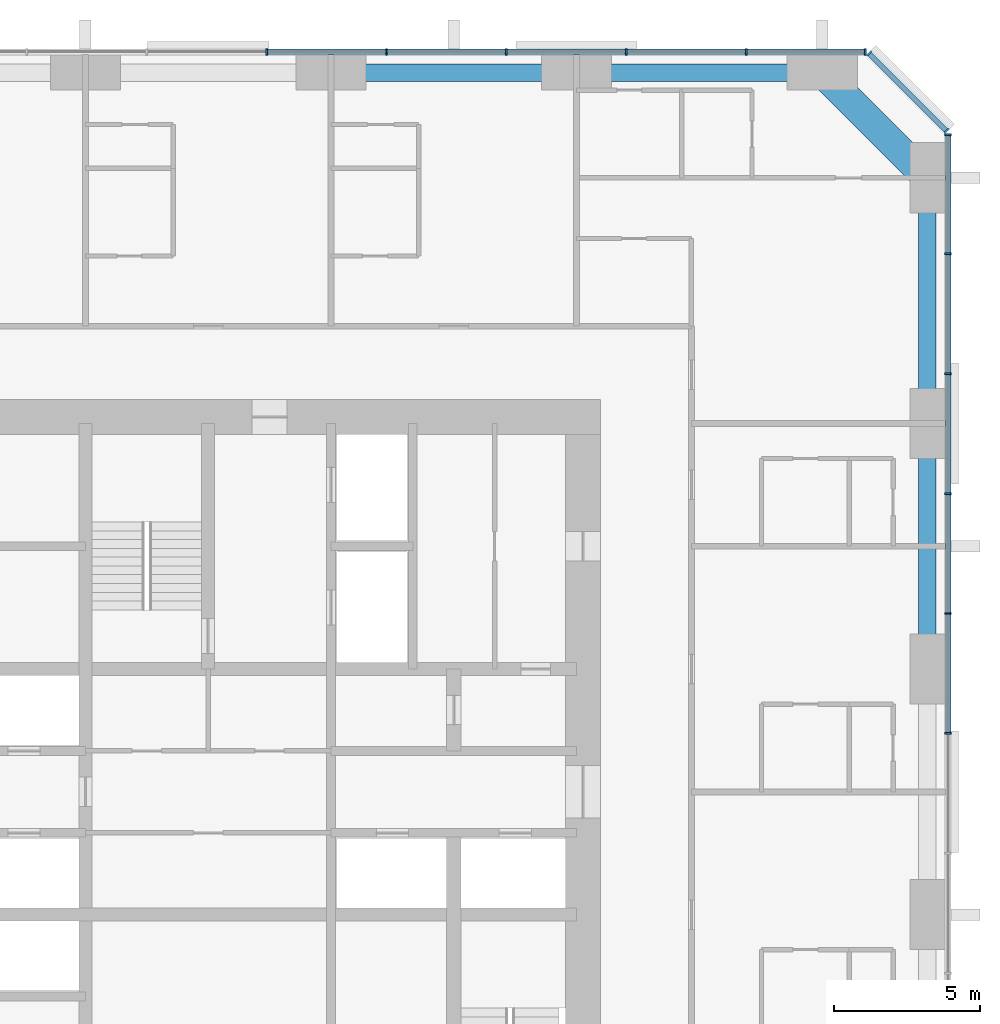
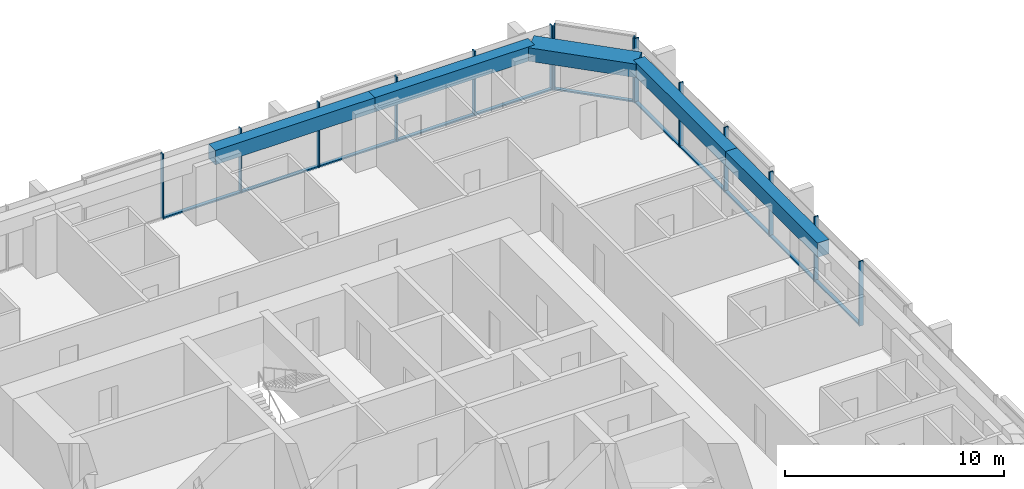
# One storey, part 6 of 14: 25 members, 5 beams, 3 elements without a shape of their own.
"""IFC4 building model written with IfcOpenShell, lengths in metres."""

import ifcopenshell
import ifcopenshell.guid

model = None  # the IFC model being written
_history = None  # IfcOwnerHistory: only IFC2X3 demands one
_inside = {}  # id of a spatial element -> (the spatial element, [elements in it])
_under = {}  # id of a project, library or spatial element -> (it, [spatial elements below it])
_declared = {}  # id of a project -> (the project, [libraries it declares])
_typed = {}  # id of a type object -> (the type object, [elements of that type])
_made_of = {}  # id of a material, layer set ... -> (it, [elements and type objects made of it])


def new_model(schema):
    """Start an empty IFC model of exactly this schema.

    Asked for "IFC4X3", IfcOpenShell would pick the latest addendum, in which some entities
    have other attributes; the version numbers below select the first issue.
    IFC2X3 requires an IfcOwnerHistory on every rooted entity: one is made here for all.
    """
    global model, _history
    if schema == "IFC4X3":
        model = ifcopenshell.file(schema_version=(4, 3, 0, 0))
    else:
        model = ifcopenshell.file(schema=schema)
    _inside.clear()
    _under.clear()
    _declared.clear()
    _typed.clear()
    _made_of.clear()
    _history = None
    if model.schema == "IFC2X3":
        org = make("IfcOrganization", Name="unknown")
        user = make(
            "IfcPersonAndOrganization",
            ThePerson=make("IfcPerson", FamilyName="unknown"),
            TheOrganization=org,
        )
        app = make(
            "IfcApplication",
            ApplicationDeveloper=org,
            Version="unknown",
            ApplicationFullName="unknown",
            ApplicationIdentifier="unknown",
        )
        _history = make(
            "IfcOwnerHistory",
            OwningUser=user,
            OwningApplication=app,
            ChangeAction="ADDED",
            CreationDate=0,
        )
    return model


def make(cls, **values):
    """One entity of the class cls with the attributes given. An attribute that is None is left unset."""
    return model.create_entity(
        cls, **{name: value for name, value in values.items() if value is not None}
    )


def rooted(cls, **values):
    """An entity with a GlobalId (a new one), such as an element, a storey or a relation."""
    return make(cls, GlobalId=ifcopenshell.guid.new(), OwnerHistory=_history, **values)


def si_unit(unit_type, name, prefix=None):
    """IfcSIUnit, for example si_unit("LENGTHUNIT", "METRE", prefix="MILLI")."""
    return make("IfcSIUnit", UnitType=unit_type, Prefix=prefix, Name=name)


def assignment(units):
    """IfcUnitAssignment: the units of a project."""
    return None if units is None else make("IfcUnitAssignment", Units=units)


def point(xyz):
    """IfcCartesianPoint."""
    return None if xyz is None else make("IfcCartesianPoint", Coordinates=xyz)


def direction(xyz):
    """IfcDirection."""
    return None if xyz is None else make("IfcDirection", DirectionRatios=xyz)


def frame(location, z_axis=None, x_axis=None):
    """IfcAxis2Placement3D, a coordinate frame: its origin and axes. An axis left out is left unset."""
    return make(
        "IfcAxis2Placement3D",
        Location=point(location),
        Axis=direction(z_axis),
        RefDirection=direction(x_axis),
    )


def frame_2d(location, x_axis=None):
    """IfcAxis2Placement2D, a coordinate frame in the plane: its origin and x axis."""
    return make(
        "IfcAxis2Placement2D", Location=point(location), RefDirection=direction(x_axis)
    )


def origin():
    """The frame at (0, 0, 0) with its axes left unset."""
    return frame((0.0, 0.0, 0.0))


def origin_2d():
    """The frame at (0, 0) in the plane with its x axis left unset."""
    return frame_2d((0.0, 0.0))


def place(relative_to, where):
    """IfcLocalPlacement: puts the frame where relative to a parent placement (None: the world)."""
    return make(
        "IfcLocalPlacement", PlacementRelTo=relative_to, RelativePlacement=where
    )


def context(
    kind, dimensions, precision=None, world=None, true_north=None, identifier=None
):
    """IfcGeometricRepresentationContext, for example the 3D "Model" context."""
    return make(
        "IfcGeometricRepresentationContext",
        ContextIdentifier=identifier,
        ContextType=kind,
        CoordinateSpaceDimension=dimensions,
        Precision=precision,
        WorldCoordinateSystem=world,
        TrueNorth=true_north,
    )


def subcontext(parent, identifier, kind, view, scale=None):
    """IfcGeometricRepresentationSubContext, for example "Body" below "Model"."""
    return make(
        "IfcGeometricRepresentationSubContext",
        ContextIdentifier=identifier,
        ContextType=kind,
        ParentContext=parent,
        TargetScale=scale,
        TargetView=view,
    )


def project(units=None, contexts=None):
    """IfcProject with its units and contexts."""
    return rooted(
        "IfcProject",
        Name="project",
        RepresentationContexts=contexts,
        UnitsInContext=assignment(units),
    )


def spatial(cls, under=None, at=None, **own):
    """A site, building, storey or space (cls), placed at a placement, below another one or the project."""
    s = rooted(cls, ObjectPlacement=at, **own)
    if under is not None:
        _under.setdefault(under.id(), (under, []))[1].append(s)
    return s


def profile(cls, at=None, kind="AREA", **sizes):
    """A parametric profile (cls). Its sizes go by their IFC names, for example OverallWidth=200.0."""
    return make(cls, ProfileType=kind, Position=at, **sizes)


def rectangle(**sizes):
    """IfcRectangleProfileDef."""
    return profile("IfcRectangleProfileDef", **sizes)


def extrude(swept, where, along, depth):
    """IfcExtrudedAreaSolid: the profile swept, set in the frame where, extruded along a direction by depth."""
    return make(
        "IfcExtrudedAreaSolid",
        SweptArea=swept,
        Position=where,
        ExtrudedDirection=direction(along),
        Depth=depth,
    )


def shape(context_of_items, identifier, shape_type, items):
    """IfcShapeRepresentation: the items that make up one representation, for example the "Body"."""
    return make(
        "IfcShapeRepresentation",
        ContextOfItems=context_of_items,
        RepresentationIdentifier=identifier,
        RepresentationType=shape_type,
        Items=items,
    )


def material(Name=None, Category=None):
    """IfcMaterial."""
    return make("IfcMaterial", Name=Name, Category=Category)


def material_profile(
    of_material, cross_section, Name=None, Category=None, Priority=None
):
    """IfcMaterialProfile: a cross section and its material."""
    return make(
        "IfcMaterialProfile",
        Name=Name,
        Material=of_material,
        Profile=cross_section,
        Priority=Priority,
        Category=Category,
    )


def profile_set(profiles, Name=None, composite=None):
    """IfcMaterialProfileSet."""
    return make(
        "IfcMaterialProfileSet",
        Name=Name,
        MaterialProfiles=profiles,
        CompositeProfile=composite,
    )


def made_of(thing, what):
    """Note that an element or type object is made of a material, layer set ...; save() writes the relation."""
    if what is not None:
        _made_of.setdefault(what.id(), (what, []))[1].append(thing)
    return thing


def type_object(cls, material=None, **own):
    """A type object (cls), such as IfcWallType, which elements share."""
    return made_of(rooted(cls, **own), material)


def element(
    cls,
    number,
    at=None,
    inside=None,
    cuts=None,
    type_object=None,
    material=None,
    context=None,
    identifier="Body",
    shape_type=None,
    held_by="IfcProductDefinitionShape",
    body=None,
    shapes=None,
    **own,
):
    """One element of the class cls, such as IfcWall. Its Tag is "e" and its number.

    at: its placement. inside: the storey or other place that contains it. cuts: it is an
    opening in that element (IfcRelVoidsElement). A single representation is given by context,
    identifier, shape_type and body (its items); several are given by shapes. held_by: the class
    of the entity that holds the representations. save() writes the other relations.
    """
    e = rooted(cls, Tag="e%d" % number, ObjectPlacement=at, **own)
    if body is not None:
        shapes = [shape(context, identifier, shape_type, body)]
    if shapes is not None:
        e.Representation = make(held_by, Representations=shapes)
    if inside is not None:
        _inside.setdefault(inside.id(), (inside, []))[1].append(e)
    if cuts is not None:
        rooted(
            "IfcRelVoidsElement", RelatingBuildingElement=cuts, RelatedOpeningElement=e
        )
    if type_object is not None:
        _typed.setdefault(type_object.id(), (type_object, []))[1].append(e)
    return made_of(e, material)


def aggregate(whole, parts):
    """IfcRelAggregates: a whole, such as a stair, and the parts it consists of."""
    return rooted("IfcRelAggregates", RelatingObject=whole, RelatedObjects=parts)


def save(model, path):
    """Write the relations noted so far, then the file.

    IfcRelAggregates (storeys below a building ...), IfcRelContainedInSpatialStructure (elements
    in a storey), IfcRelDefinesByType, IfcRelAssociatesMaterial and IfcRelDeclares: one each for
    every whole, place, type object, material and project.
    """
    for whole, parts in _under.values():
        aggregate(whole, parts)
    for where, things in _inside.values():
        rooted(
            "IfcRelContainedInSpatialStructure",
            RelatedElements=things,
            RelatingStructure=where,
        )
    for kind, things in _typed.values():
        rooted("IfcRelDefinesByType", RelatedObjects=things, RelatingType=kind)
    for what, things in _made_of.values():
        rooted("IfcRelAssociatesMaterial", RelatedObjects=things, RelatingMaterial=what)
    for by, libraries in _declared.values():
        rooted("IfcRelDeclares", RelatingContext=by, RelatedDefinitions=libraries)
    model.write(path)


model = new_model("IFC4")

# Units and contexts
model_context = context("Model", 3, precision=1e-05, world=origin(), true_north=direction((0.0, 1.0)))
body_context = subcontext(model_context, "Body", "Model", "MODEL_VIEW")
ifc_project = project(units=[si_unit("LENGTHUNIT", "METRE"), si_unit("AREAUNIT", "SQUARE_METRE"), si_unit("VOLUMEUNIT", "CUBIC_METRE"), si_unit("PLANEANGLEUNIT", "RADIAN"), si_unit("MASSUNIT", "GRAM", prefix="KILO")], contexts=[model_context])

# Site, building, storey
site_placement = place(None, origin())
site = spatial("IfcSite", under=ifc_project, at=site_placement, CompositionType="ELEMENT")
building_placement = place(site_placement, origin())
building = spatial("IfcBuilding", under=site, at=building_placement, Name="Dunama Terrace Hotel", CompositionType="ELEMENT")
storey_placement = place(building_placement, frame((0.0, 0.0, 100.800048828125)))
storey = spatial("IfcBuildingStorey", under=building, at=storey_placement, Name="L25", CompositionType="ELEMENT", Elevation=100.800048828125)

# Curtain wall, members
ifc_material_1 = material(Name="Aluminium curtain wall system", Category="aluminium")
curtain_wall_type = type_object("IfcCurtainWallType", Name="Unitised fritted glass wall CW-B", PredefinedType="NOTDEFINED", material=ifc_material_1)
curtain_wall_1_placement = place(storey_placement, origin())
curtain_wall_1 = element("IfcCurtainWall", 1, at=curtain_wall_1_placement, inside=storey, type_object=curtain_wall_type, Name="Unitised fritted glass wall CW-B L25", PredefinedType="NOTDEFINED")
ifc_material_2 = material(Name="Aluminium mullion", Category="aluminium")
ifc_material_profile_1 = material_profile(ifc_material_2, rectangle(XDim=0.06494140625, YDim=0.219970703125, at=origin_2d()), Name="CWB MULLION 65X220")
ifc_profile_set_1 = profile_set([ifc_material_profile_1], Name="Aluminium mullion")
member_type_1 = type_object("IfcMemberType", Name="CWB mullion 65x220", PredefinedType="MULLION", material=ifc_profile_set_1)
member_1_placement = place(storey_placement, frame((54.7099609375, 31.39990234375, 0.0), z_axis=(0.0, 0.0, 1.0), x_axis=(0.0, 1.0, 0.0)))
member_1 = element("IfcMember", 2, at=member_1_placement, type_object=member_type_1, Name="CWB mullion", PredefinedType="MULLION", context=body_context, shape_type="SweptSolid", body=[
    extrude(rectangle(XDim=0.06494140625, YDim=0.219970703125, at=origin_2d()), origin(), (0.0, 0.0, 1.0), 3.599853515625),
])
member_2_placement = place(storey_placement, frame((54.7099609375, 35.5, 0.0), z_axis=(0.0, 0.0, 1.0), x_axis=(0.0, 1.0, 0.0)))
member_2 = element("IfcMember", 3, at=member_2_placement, type_object=member_type_1, Name="CWB mullion", PredefinedType="MULLION", context=body_context, shape_type="SweptSolid", body=[
    extrude(rectangle(XDim=0.06494140625, YDim=0.219970703125, at=origin_2d()), origin(), (0.0, 0.0, 1.0), 3.599853515625),
])
member_3_placement = place(storey_placement, frame((54.7099609375, 39.60009765625, 0.0), z_axis=(0.0, 0.0, 1.0), x_axis=(0.0, 1.0, 0.0)))
member_3 = element("IfcMember", 4, at=member_3_placement, type_object=member_type_1, Name="CWB mullion", PredefinedType="MULLION", context=body_context, shape_type="SweptSolid", body=[
    extrude(rectangle(XDim=0.06494140625, YDim=0.219970703125, at=origin_2d()), origin(), (0.0, 0.0, 1.0), 3.599853515625),
])
member_4_placement = place(storey_placement, frame((54.7099609375, 43.699951171875, 0.0), z_axis=(0.0, 0.0, 1.0), x_axis=(0.0, 1.0, 0.0)))
member_4 = element("IfcMember", 5, at=member_4_placement, type_object=member_type_1, Name="CWB mullion", PredefinedType="MULLION", context=body_context, shape_type="SweptSolid", body=[
    extrude(rectangle(XDim=0.06494140625, YDim=0.219970703125, at=origin_2d()), origin(), (0.0, 0.0, 1.0), 3.599853515625),
])
member_5_placement = place(storey_placement, frame((54.7099609375, 47.800048828125, 0.0), z_axis=(0.0, 0.0, 1.0), x_axis=(0.0, 1.0, 0.0)))
member_5 = element("IfcMember", 6, at=member_5_placement, type_object=member_type_1, Name="CWB mullion", PredefinedType="MULLION", context=body_context, shape_type="SweptSolid", body=[
    extrude(rectangle(XDim=0.06494140625, YDim=0.219970703125, at=origin_2d()), origin(), (0.0, 0.0, 1.0), 3.599853515625),
])
member_6_placement = place(storey_placement, frame((54.7099609375, 51.866943359375, 0.0), z_axis=(0.0, 0.0, 1.0), x_axis=(0.0, 1.0, 0.0)))
member_6 = element("IfcMember", 7, at=member_6_placement, type_object=member_type_1, Name="CWB mullion", PredefinedType="MULLION", context=body_context, shape_type="SweptSolid", body=[
    extrude(rectangle(XDim=0.06494140625, YDim=0.219970703125, at=origin_2d()), origin(), (0.0, 0.0, 1.0), 3.599853515625),
])

curtain_wall_2_placement = place(storey_placement, origin())
curtain_wall_2 = element("IfcCurtainWall", 8, at=curtain_wall_2_placement, inside=storey, type_object=curtain_wall_type, Name="Unitised fritted glass wall CW-B L25", PredefinedType="NOTDEFINED")
member_7_placement = place(storey_placement, frame((54.655029296875, 52.0009765625, 0.0), z_axis=(0.0, 0.0, 1.0), x_axis=(-0.707106781187, 0.707106781187, 0.0)))
member_7 = element("IfcMember", 9, at=member_7_placement, type_object=member_type_1, Name="CWB mullion", PredefinedType="MULLION", context=body_context, shape_type="SweptSolid", body=[
    extrude(rectangle(XDim=0.06494140625, YDim=0.219970703125, at=origin_2d()), origin(), (0.0, 0.0, 1.0), 3.599853515625),
])
member_8_placement = place(storey_placement, frame((52.0009765625, 54.655029296875, 0.0), z_axis=(0.0, 0.0, 1.0), x_axis=(-0.707106781187, 0.707106781187, 0.0)))
member_8 = element("IfcMember", 10, at=member_8_placement, type_object=member_type_1, Name="CWB mullion", PredefinedType="MULLION", context=body_context, shape_type="SweptSolid", body=[
    extrude(rectangle(XDim=0.06494140625, YDim=0.219970703125, at=origin_2d()), origin(), (0.0, 0.0, 1.0), 3.599853515625),
])

curtain_wall_3_placement = place(storey_placement, origin())
curtain_wall_3 = element("IfcCurtainWall", 11, at=curtain_wall_3_placement, inside=storey, type_object=curtain_wall_type, Name="Unitised fritted glass wall CW-B L25", PredefinedType="NOTDEFINED")
member_9_placement = place(storey_placement, frame((51.866943359375, 54.7099609375, 0.0), z_axis=(0.0, 0.0, 1.0), x_axis=(-1.0, 0.0, 0.0)))
member_9 = element("IfcMember", 12, at=member_9_placement, type_object=member_type_1, Name="CWB mullion", PredefinedType="MULLION", context=body_context, shape_type="SweptSolid", body=[
    extrude(rectangle(XDim=0.06494140625, YDim=0.219970703125, at=origin_2d()), origin(), (0.0, 0.0, 1.0), 3.599853515625),
])
member_10_placement = place(storey_placement, frame((47.800048828125, 54.7099609375, 0.0), z_axis=(0.0, 0.0, 1.0), x_axis=(-1.0, 0.0, 0.0)))
member_10 = element("IfcMember", 13, at=member_10_placement, type_object=member_type_1, Name="CWB mullion", PredefinedType="MULLION", context=body_context, shape_type="SweptSolid", body=[
    extrude(rectangle(XDim=0.06494140625, YDim=0.219970703125, at=origin_2d()), origin(), (0.0, 0.0, 1.0), 3.599853515625),
])
member_11_placement = place(storey_placement, frame((43.699951171875, 54.7099609375, 0.0), z_axis=(0.0, 0.0, 1.0), x_axis=(-1.0, 0.0, 0.0)))
member_11 = element("IfcMember", 14, at=member_11_placement, type_object=member_type_1, Name="CWB mullion", PredefinedType="MULLION", context=body_context, shape_type="SweptSolid", body=[
    extrude(rectangle(XDim=0.06494140625, YDim=0.219970703125, at=origin_2d()), origin(), (0.0, 0.0, 1.0), 3.599853515625),
])
member_12_placement = place(storey_placement, frame((39.60009765625, 54.7099609375, 0.0), z_axis=(0.0, 0.0, 1.0), x_axis=(-1.0, 0.0, 0.0)))
member_12 = element("IfcMember", 15, at=member_12_placement, type_object=member_type_1, Name="CWB mullion", PredefinedType="MULLION", context=body_context, shape_type="SweptSolid", body=[
    extrude(rectangle(XDim=0.06494140625, YDim=0.219970703125, at=origin_2d()), origin(), (0.0, 0.0, 1.0), 3.599853515625),
])
member_13_placement = place(storey_placement, frame((35.5, 54.7099609375, 0.0), z_axis=(0.0, 0.0, 1.0), x_axis=(-1.0, 0.0, 0.0)))
member_13 = element("IfcMember", 16, at=member_13_placement, type_object=member_type_1, Name="CWB mullion", PredefinedType="MULLION", context=body_context, shape_type="SweptSolid", body=[
    extrude(rectangle(XDim=0.06494140625, YDim=0.219970703125, at=origin_2d()), origin(), (0.0, 0.0, 1.0), 3.599853515625),
])
member_14_placement = place(storey_placement, frame((31.39990234375, 54.7099609375, 0.0), z_axis=(0.0, 0.0, 1.0), x_axis=(-1.0, 0.0, 0.0)))
member_14 = element("IfcMember", 17, at=member_14_placement, type_object=member_type_1, Name="CWB mullion", PredefinedType="MULLION", context=body_context, shape_type="SweptSolid", body=[
    extrude(rectangle(XDim=0.06494140625, YDim=0.219970703125, at=origin_2d()), origin(), (0.0, 0.0, 1.0), 3.599853515625),
])

# Member
ifc_material_3 = material(Name="Aluminium transom", Category="aluminium")
ifc_material_profile_2 = material_profile(ifc_material_3, rectangle(XDim=0.179931640625, YDim=0.080078125, at=origin_2d()), Name="CWB TRANSOM 180X80")
ifc_profile_set_2 = profile_set([ifc_material_profile_2], Name="Aluminium transom")
member_type_2 = type_object("IfcMemberType", Name="CWB transom 180x80", PredefinedType="USERDEFINED", material=ifc_profile_set_2)
member_15_placement = place(storey_placement, frame((54.7099609375, 31.431884765625, 0.0400390625), z_axis=(0.0, 1.0, 0.0), x_axis=(-1.0, 0.0, 0.0)))
member_15 = element("IfcMember", 18, at=member_15_placement, type_object=member_type_2, Name="CWB transom", ObjectType="TRANSOM", PredefinedType="USERDEFINED", context=body_context, shape_type="SweptSolid", body=[
    extrude(rectangle(XDim=0.179931640625, YDim=0.080078125, at=origin_2d()), origin(), (0.0, 0.0, 1.0), 4.0361328125),
])

member_16_placement = place(storey_placement, frame((54.7099609375, 35.531982421875, 0.0400390625), z_axis=(0.0, 1.0, 0.0), x_axis=(-1.0, 0.0, 0.0)))
member_16 = element("IfcMember", 19, at=member_16_placement, type_object=member_type_2, Name="CWB transom", ObjectType="TRANSOM", PredefinedType="USERDEFINED", context=body_context, shape_type="SweptSolid", body=[
    extrude(rectangle(XDim=0.179931640625, YDim=0.080078125, at=origin_2d()), origin(), (0.0, 0.0, 1.0), 4.0361328125),
])

member_17_placement = place(storey_placement, frame((54.7099609375, 39.633056640625, 0.0400390625), z_axis=(0.0, 1.0, 0.0), x_axis=(-1.0, 0.0, 0.0)))
member_17 = element("IfcMember", 20, at=member_17_placement, type_object=member_type_2, Name="CWB transom", ObjectType="TRANSOM", PredefinedType="USERDEFINED", context=body_context, shape_type="SweptSolid", body=[
    extrude(rectangle(XDim=0.179931640625, YDim=0.080078125, at=origin_2d()), origin(), (0.0, 0.0, 1.0), 4.034912109375),
])

member_18_placement = place(storey_placement, frame((54.7099609375, 43.73291015625, 0.0400390625), z_axis=(0.0, 1.0, 0.0), x_axis=(-1.0, 0.0, 0.0)))
member_18 = element("IfcMember", 21, at=member_18_placement, type_object=member_type_2, Name="CWB transom", ObjectType="TRANSOM", PredefinedType="USERDEFINED", context=body_context, shape_type="SweptSolid", body=[
    extrude(rectangle(XDim=0.179931640625, YDim=0.080078125, at=origin_2d()), origin(), (0.0, 0.0, 1.0), 4.0341796875),
])

member_19_placement = place(storey_placement, frame((54.7099609375, 47.83203125, 0.0400390625), z_axis=(0.0, 1.0, 0.0), x_axis=(-1.0, 0.0, 0.0)))
member_19 = element("IfcMember", 22, at=member_19_placement, type_object=member_type_2, Name="CWB transom", ObjectType="TRANSOM", PredefinedType="USERDEFINED", context=body_context, shape_type="SweptSolid", body=[
    extrude(rectangle(XDim=0.179931640625, YDim=0.080078125, at=origin_2d()), origin(), (0.0, 0.0, 1.0), 4.0029296875),
])

aggregate(curtain_wall_1, [member_1, member_2, member_3, member_4, member_5, member_6, member_15, member_16, member_17, member_18, member_19])

member_20_placement = place(storey_placement, frame((54.632080078125, 52.02392578125, 0.0400390625), z_axis=(-0.707106781187, 0.707106781187, 0.0), x_axis=(-0.707106781187, -0.707106781187, 0.0)))
member_20 = element("IfcMember", 23, at=member_20_placement, type_object=member_type_2, Name="CWB transom", ObjectType="TRANSOM", PredefinedType="USERDEFINED", context=body_context, shape_type="SweptSolid", body=[
    extrude(rectangle(XDim=0.179931640625, YDim=0.080078125, at=origin_2d()), origin(), (0.0, 0.0, 1.0), 3.6884765625),
])

aggregate(curtain_wall_2, [member_7, member_8, member_20])

member_21_placement = place(storey_placement, frame((51.8349609375, 54.7099609375, 0.0400390625), z_axis=(-1.0, 0.0, 0.0), x_axis=(0.0, -1.0, 0.0)))
member_21 = element("IfcMember", 24, at=member_21_placement, type_object=member_type_2, Name="CWB transom", ObjectType="TRANSOM", PredefinedType="USERDEFINED", context=body_context, shape_type="SweptSolid", body=[
    extrude(rectangle(XDim=0.179931640625, YDim=0.080078125, at=origin_2d()), origin(), (0.0, 0.0, 1.0), 4.0029296875),
])

member_22_placement = place(storey_placement, frame((47.76708984375, 54.7099609375, 0.0400390625), z_axis=(-1.0, 0.0, 0.0), x_axis=(0.0, -1.0, 0.0)))
member_22 = element("IfcMember", 25, at=member_22_placement, type_object=member_type_2, Name="CWB transom", ObjectType="TRANSOM", PredefinedType="USERDEFINED", context=body_context, shape_type="SweptSolid", body=[
    extrude(rectangle(XDim=0.179931640625, YDim=0.080078125, at=origin_2d()), origin(), (0.0, 0.0, 1.0), 4.0341796875),
])

member_23_placement = place(storey_placement, frame((43.6669921875, 54.7099609375, 0.0400390625), z_axis=(-1.0, 0.0, 0.0), x_axis=(0.0, -1.0, 0.0)))
member_23 = element("IfcMember", 26, at=member_23_placement, type_object=member_type_2, Name="CWB transom", ObjectType="TRANSOM", PredefinedType="USERDEFINED", context=body_context, shape_type="SweptSolid", body=[
    extrude(rectangle(XDim=0.179931640625, YDim=0.080078125, at=origin_2d()), origin(), (0.0, 0.0, 1.0), 4.033935546875),
])

member_24_placement = place(storey_placement, frame((39.56689453125, 54.7099609375, 0.0400390625), z_axis=(-1.0, 0.0, 0.0), x_axis=(0.0, -1.0, 0.0)))
member_24 = element("IfcMember", 27, at=member_24_placement, type_object=member_type_2, Name="CWB transom", ObjectType="TRANSOM", PredefinedType="USERDEFINED", context=body_context, shape_type="SweptSolid", body=[
    extrude(rectangle(XDim=0.179931640625, YDim=0.080078125, at=origin_2d()), origin(), (0.0, 0.0, 1.0), 4.034912109375),
])

member_25_placement = place(storey_placement, frame((35.468017578125, 54.7099609375, 0.0400390625), z_axis=(-1.0, 0.0, 0.0), x_axis=(0.0, -1.0, 0.0)))
member_25 = element("IfcMember", 28, at=member_25_placement, type_object=member_type_2, Name="CWB transom", ObjectType="TRANSOM", PredefinedType="USERDEFINED", context=body_context, shape_type="SweptSolid", body=[
    extrude(rectangle(XDim=0.179931640625, YDim=0.080078125, at=origin_2d()), origin(), (0.0, 0.0, 1.0), 4.0361328125),
])

aggregate(curtain_wall_3, [member_9, member_10, member_11, member_12, member_13, member_14, member_21, member_22, member_23, member_24, member_25])

# Beams
ifc_material_4 = material(Name="Concrete C50/60", Category="concrete")
ifc_material_profile_3 = material_profile(ifc_material_4, rectangle(XDim=1.0, YDim=0.75, at=origin_2d()), Name="RC 1000x750")
ifc_profile_set_3 = profile_set([ifc_material_profile_3], Name="Concrete C50/60")
beam_type_1 = type_object("IfcBeamType", Name="Edge beam RC 1000x750", PredefinedType="SPANDREL", material=ifc_profile_set_3)
beam_placement = place(storey_placement, frame((50.39990234375, 54.0, 3.224853515625), z_axis=(0.707106781187, -0.707106781187, 0.0), x_axis=(0.707106781187, 0.707106781187, 0.0)))
element("IfcBeam", 29, at=beam_placement, inside=storey, type_object=beam_type_1, Name="Corner edge beam under L26", PredefinedType="SPANDREL", context=body_context, shape_type="SweptSolid", body=[
    extrude(rectangle(XDim=1.0, YDim=0.75, at=origin_2d()), origin(), (0.0, 0.0, 1.0), 5.09130859375),
])
ifc_material_5 = material(Name="Concrete C40/50", Category="concrete")
ifc_material_profile_4 = material_profile(ifc_material_5, rectangle(XDim=0.60009765625, YDim=0.800048828125, at=origin_2d()), Name="RC 600x800")
ifc_profile_set_4 = profile_set([ifc_material_profile_4], Name="Concrete C40/50")
beam_type_2 = type_object("IfcBeamType", Name="Edge beam RC 600x800", PredefinedType="SPANDREL", material=ifc_profile_set_4)
for number, where, z_axis, x_axis, name in (
    (30, (54.0, 33.60009765625, 3.199951171875), (0.0, 1.0, 0.0), (-1.0, 0.0, 0.0), "Edge beam under L26"),
    (31, (54.0, 42.0, 3.199951171875), (0.0, 1.0, 0.0), (-1.0, 0.0, 0.0), "Edge beam under L26"),
    (32, (33.60009765625, 54.0, 3.199951171875), (1.0, 0.0, 0.0), (0.0, 1.0, 0.0), "Edge beam under L26"),
    (33, (42.0, 54.0, 3.199951171875), (1.0, 0.0, 0.0), (0.0, 1.0, 0.0), "Edge beam under L26"),
):
    element("IfcBeam", number, at=place(storey_placement, frame(where, z_axis=z_axis, x_axis=x_axis)), inside=storey, type_object=beam_type_2, Name=name, PredefinedType="SPANDREL", context=body_context, shape_type="SweptSolid", body=[
        extrude(rectangle(XDim=0.60009765625, YDim=0.800048828125, at=origin_2d()), origin(), (0.0, 0.0, 1.0), 8.39990234375),
    ])

save(model, "model.ifc")
